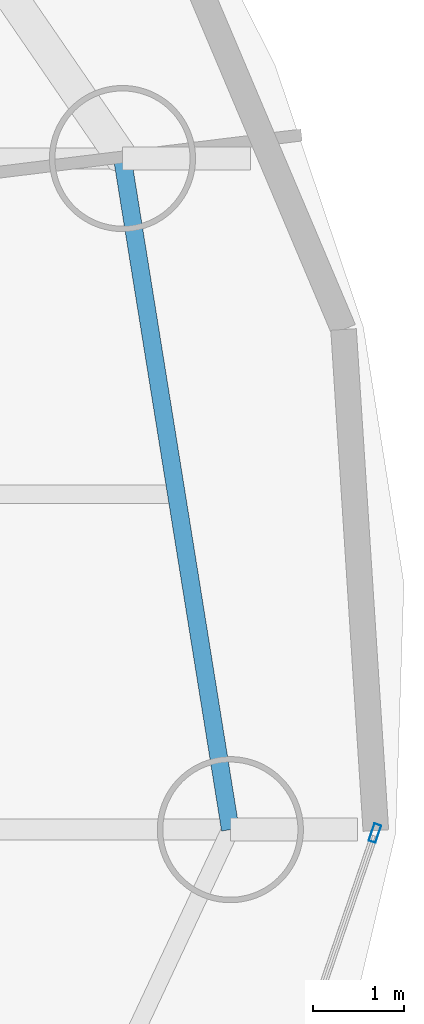
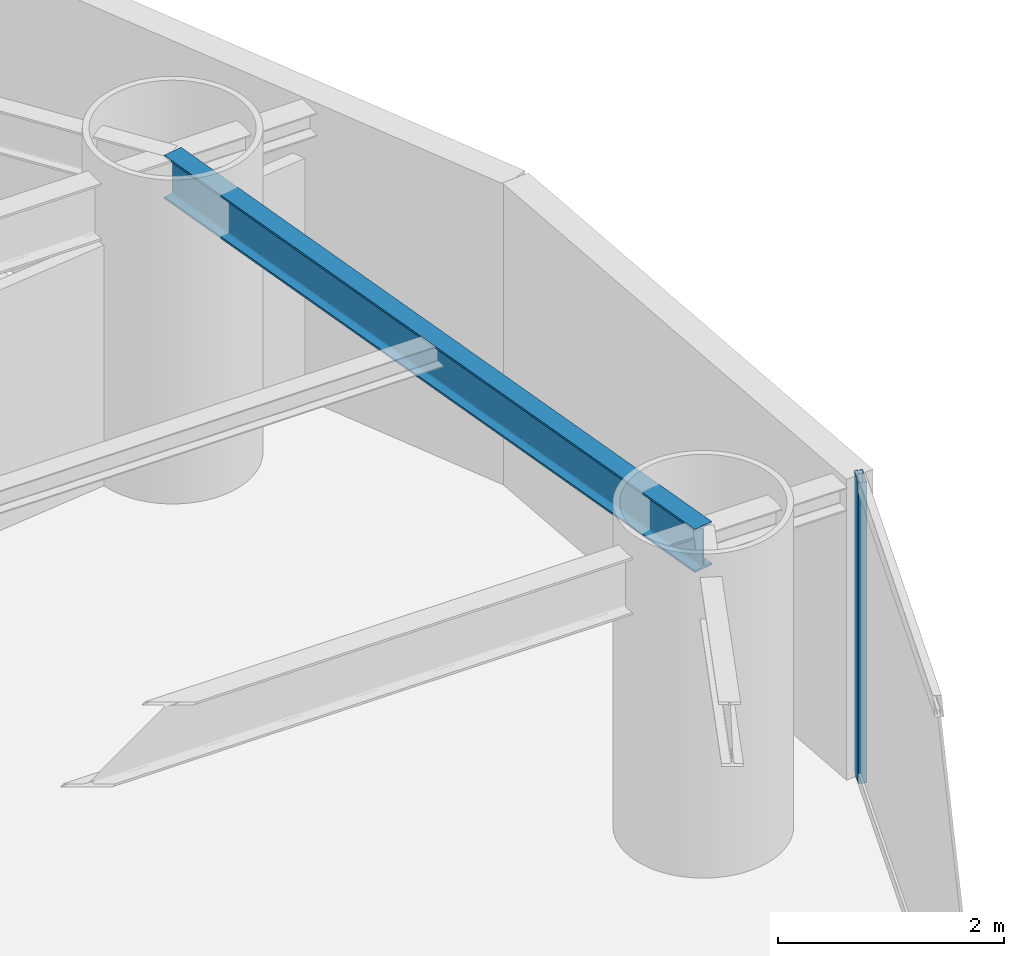
# One storey, part 9 of 23: 1 beam, 1 member, 1 element without a shape of its own.
"""IFC4 building model written with IfcOpenShell, lengths in metres."""

from ifc_helpers import new_model, si_unit, direction, frame, origin, origin_2d, place, context, subcontext, project, spatial, hollow_rectangle, i_section, extrude, material, layer, layer_set, material_profile, profile_set, type_object, element, aggregate, save


model = new_model("IFC4")

# Units and contexts
model_context = context("Model", 3, precision=1e-05, world=origin(), true_north=direction((0.0, 1.0)))
body_context = subcontext(model_context, "Body", "Model", "MODEL_VIEW")
ifc_project = project(units=[si_unit("LENGTHUNIT", "METRE"), si_unit("AREAUNIT", "SQUARE_METRE"), si_unit("VOLUMEUNIT", "CUBIC_METRE"), si_unit("PLANEANGLEUNIT", "RADIAN"), si_unit("MASSUNIT", "GRAM", prefix="KILO")], contexts=[model_context])

# Site, building, storey
site_placement = place(None, origin())
site = spatial("IfcSite", under=ifc_project, at=site_placement, CompositionType="ELEMENT")
building_placement = place(site_placement, origin())
building = spatial("IfcBuilding", under=site, at=building_placement, Name="Bramvorn Convention Spire", CompositionType="ELEMENT")
storey_placement = place(building_placement, frame((0.0, 0.0, 65.89990234375)))
storey = spatial("IfcBuildingStorey", under=building, at=storey_placement, Name="L14", CompositionType="ELEMENT", Elevation=65.89990234375)

# Beam
ifc_material_1 = material(Name="Steel CSA G40.21 Grade 350 (350W)", Category="steel")
ifc_material_profile_1 = material_profile(ifc_material_1, i_section(OverallWidth=0.194091796875, OverallDepth=0.468994140625, WebThickness=0.0126953125, FlangeThickness=0.0205078125, FilletRadius=0.01806640625, at=origin_2d()))
ifc_profile_set_1 = profile_set([ifc_material_profile_1], Name="Steel CSA G40.21 Grade 350 (350W) - W460X106")
beam_type = type_object("IfcBeamType", Name="BM-W460X106", PredefinedType="SPANDREL", material=ifc_profile_set_1)
beam_placement = place(storey_placement, frame((66.519775390625, 21.99169921875, 3.015625), z_axis=(-0.158699222824, 0.987326975563, 0.0), x_axis=(-0.987326975563, -0.158699222824, 0.0)))
element("IfcBeam", 1, at=beam_placement, inside=storey, type_object=beam_type, Name="L14 mega-column ring beam 01", PredefinedType="SPANDREL", context=body_context, shape_type="SweptSolid", body=[
    extrude(i_section(OverallWidth=0.194091796875, OverallDepth=0.468994140625, WebThickness=0.0126953125, FlangeThickness=0.0205078125, FilletRadius=0.01806640625, at=origin_2d()), origin(), (0.0, 0.0, 1.0), 7.442626953125),
])

# Curtain wall, member
ifc_material_2 = material(Name="Anodised Bronze Unitised Curtain Wall", Category="aluminium")
ifc_layer = layer(ifc_material_2, 0.179931640625)
ifc_layer_set = layer_set([ifc_layer], Name="Anodised Bronze Unitised Curtain Wall - CW-HTL-FRIT")
curtain_wall_type = type_object("IfcCurtainWallType", Name="CW-HTL-FRIT", PredefinedType="USERDEFINED", material=ifc_layer_set)
curtain_wall_placement = place(storey_placement, origin())
curtain_wall = element("IfcCurtainWall", 2, at=curtain_wall_placement, inside=storey, type_object=curtain_wall_type, Name="L14 fritted glass curtain wall 24", ObjectType="UNITISED CURTAIN WALL", PredefinedType="USERDEFINED")
ifc_material_3 = material(Name="Anodised Bronze Aluminium 6063-T6", Category="aluminium")
ifc_material_profile_2 = material_profile(ifc_material_3, hollow_rectangle(XDim=0.080078125, YDim=0.199951171875, WallThickness=0.00390625, InnerFilletRadius=0.0009765625, OuterFilletRadius=0.00390625, at=origin_2d()))
ifc_profile_set_2 = profile_set([ifc_material_profile_2], Name="Anodised Bronze Aluminium 6063-T6 - CWM80X200")
member_type = type_object("IfcMemberType", Name="CW-MUL-180", PredefinedType="MULLION", material=ifc_profile_set_2)
member_placement = place(storey_placement, frame((68.103271484375, 21.95361328125, 0.0), z_axis=(0.0, 0.0, 1.0), x_axis=(0.94615430856, -0.323715962525, 0.0)))
member = element("IfcMember", 3, at=member_placement, type_object=member_type, Name="CW2 mullion 1", PredefinedType="MULLION", context=body_context, shape_type="SweptSolid", body=[
    extrude(hollow_rectangle(XDim=0.080078125, YDim=0.199951171875, WallThickness=0.00390625, InnerFilletRadius=0.0009765625, OuterFilletRadius=0.00390625, at=origin_2d()), origin(), (0.0, 0.0, 1.0), 3.25),
])
aggregate(curtain_wall, [member])

save(model, "model.ifc")
